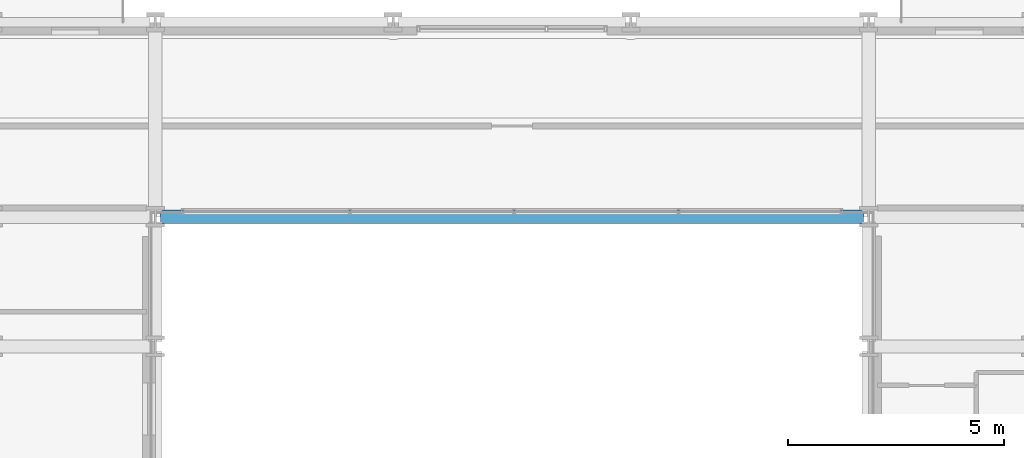
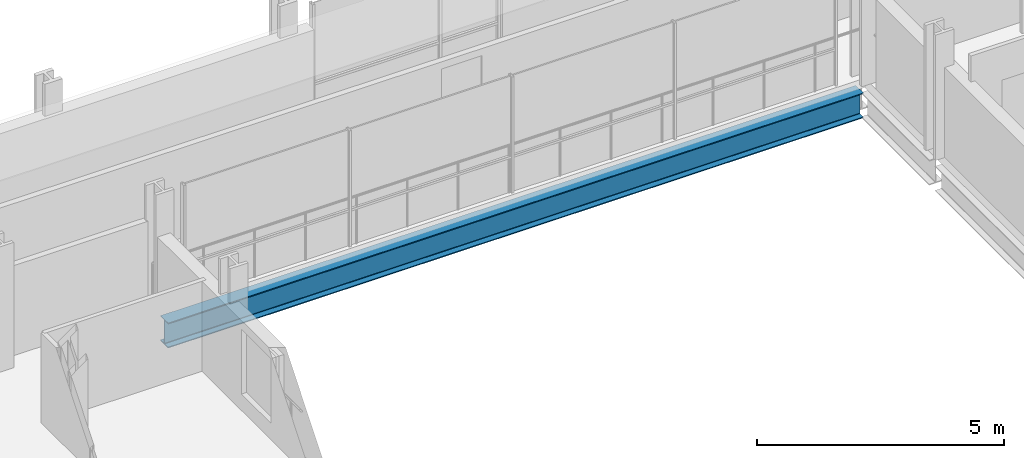
# One storey, part 10 of 41: 1 beam.
"""IFC4 building model written with IfcOpenShell, lengths in metres."""

from ifc_helpers import new_model, si_unit, direction, frame, origin, origin_2d, place, context, subcontext, project, spatial, i_section, extrude, material, material_profile, profile_set, type_object, element, save


model = new_model("IFC4")

# Units and contexts
model_context = context("Model", 3, precision=1e-05, world=origin(), true_north=direction((0.0, 1.0)))
body_context = subcontext(model_context, "Body", "Model", "MODEL_VIEW")
ifc_project = project(units=[si_unit("LENGTHUNIT", "METRE"), si_unit("AREAUNIT", "SQUARE_METRE"), si_unit("VOLUMEUNIT", "CUBIC_METRE"), si_unit("PLANEANGLEUNIT", "RADIAN"), si_unit("MASSUNIT", "GRAM", prefix="KILO")], contexts=[model_context])

# Site, building, storey
site_placement = place(None, origin())
site = spatial("IfcSite", under=ifc_project, at=site_placement, CompositionType="ELEMENT")
building_placement = place(site_placement, origin())
building = spatial("IfcBuilding", under=site, at=building_placement, Name="Brevholm Reach", CompositionType="ELEMENT")
storey_placement = place(building_placement, frame((0.0, 0.0, 55.89990234375)))
storey = spatial("IfcBuildingStorey", under=building, at=storey_placement, Name="L15", CompositionType="ELEMENT", Elevation=55.89990234375)

# Beam
ifc_material = material(Name="Structural Steel S355J2", Category="steel")
ifc_material_profile = material_profile(ifc_material, i_section(OverallWidth=0.30712890625, OverallDepth=0.6201171875, WebThickness=0.01416015625, FlangeThickness=0.023681640625, FilletRadius=0.0166015625, at=origin_2d()), Name="UKB 610x305x179")
ifc_profile_set = profile_set([ifc_material_profile], Name="Structural Steel S355J2")
beam_type = type_object("IfcBeamType", Name="BM-UKB610H", PredefinedType="USERDEFINED", material=ifc_profile_set)
beam_placement = place(storey_placement, frame((21.8701171875, 26.5, -0.5400390625), z_axis=(1.0, 0.0, 0.0), x_axis=(0.0, 1.0, 0.0)))
element("IfcBeam", 1, at=beam_placement, inside=storey, type_object=beam_type, Name="L15 G-06 Framing Beam", ObjectType="GIRDER", PredefinedType="USERDEFINED", context=body_context, shape_type="SweptSolid", body=[
    extrude(i_section(OverallWidth=0.30712890625, OverallDepth=0.6201171875, WebThickness=0.01416015625, FlangeThickness=0.023681640625, FilletRadius=0.0166015625, at=origin_2d()), origin(), (0.0, 0.0, 1.0), 16.259765625),
])

save(model, "model.ifc")
